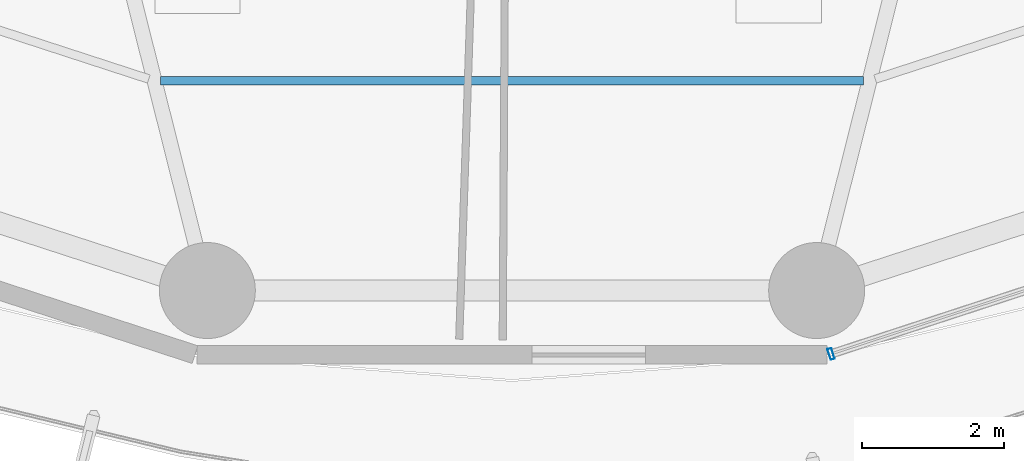
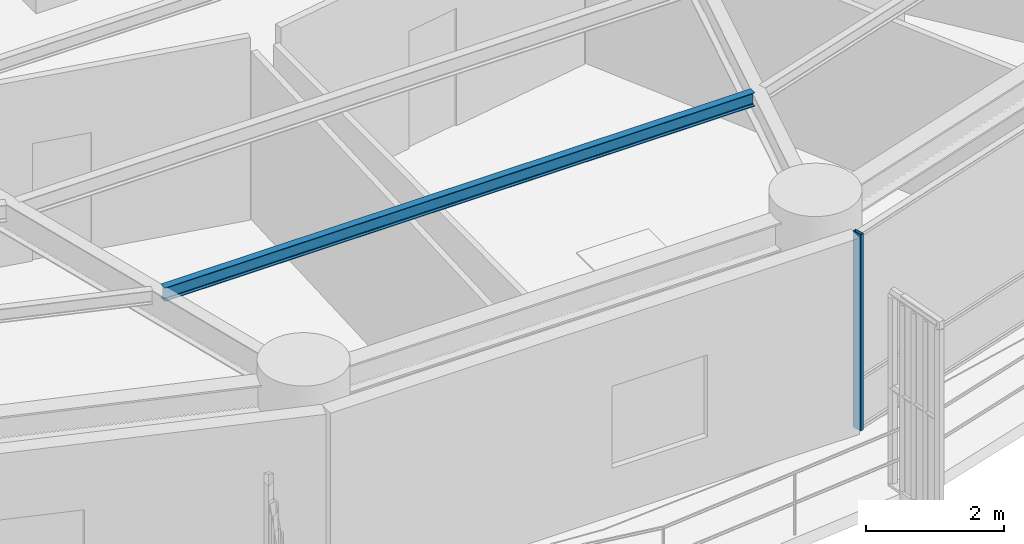
# One storey, part 4 of 36: 1 beam, 1 member, 1 element without a shape of its own.
"""IFC4 building model written with IfcOpenShell, lengths in metres."""

from ifc_helpers import new_model, si_unit, direction, frame, origin, origin_2d, place, context, subcontext, project, spatial, hollow_rectangle, i_section, extrude, material, layer, layer_set, material_profile, profile_set, type_object, element, aggregate, save


model = new_model("IFC4")

# Units and contexts
model_context = context("Model", 3, precision=1e-05, world=origin(), true_north=direction((0.0, 1.0)))
body_context = subcontext(model_context, "Body", "Model", "MODEL_VIEW")
ifc_project = project(units=[si_unit("LENGTHUNIT", "METRE"), si_unit("AREAUNIT", "SQUARE_METRE"), si_unit("VOLUMEUNIT", "CUBIC_METRE"), si_unit("PLANEANGLEUNIT", "RADIAN"), si_unit("MASSUNIT", "GRAM", prefix="KILO")], contexts=[model_context])

# Site, building, storey
site_placement = place(None, origin())
site = spatial("IfcSite", under=ifc_project, at=site_placement, CompositionType="ELEMENT")
building_placement = place(site_placement, origin())
building = spatial("IfcBuilding", under=site, at=building_placement, Name="Kelanora Arch Commons", CompositionType="ELEMENT")
storey_placement = place(building_placement, frame((0.0, 0.0, 102.60009765625)))
storey = spatial("IfcBuildingStorey", under=building, at=storey_placement, Name="L26", CompositionType="ELEMENT", Elevation=102.60009765625)

# Beam
ifc_material_1 = material(Name="Steel S355", Category="steel")
ifc_material_profile_1 = material_profile(ifc_material_1, i_section(OverallWidth=0.1201171875, OverallDepth=0.239990234375, WebThickness=0.006103515625, FlangeThickness=0.009765625, FilletRadius=0.014892578125, at=origin_2d()), Name="IPE240")
ifc_profile_set_1 = profile_set([ifc_material_profile_1], Name="Steel S355")
beam_type = type_object("IfcBeamType", Name="BM-JST-02", PredefinedType="JOIST", material=ifc_profile_set_1)
beam_placement = place(storey_placement, frame((69.056396484375, 39.204345703125, 3.369873046875), z_axis=(1.0, 0.0, 0.0), x_axis=(0.0, 1.0, 0.0)))
element("IfcBeam", 1, at=beam_placement, inside=storey, type_object=beam_type, Name="Secondary Chord Joist BJC-26 L26", PredefinedType="JOIST", context=body_context, shape_type="SweptSolid", body=[
    extrude(i_section(OverallWidth=0.1201171875, OverallDepth=0.239990234375, WebThickness=0.006103515625, FlangeThickness=0.009765625, FilletRadius=0.014892578125, at=origin_2d()), origin(), (0.0, 0.0, 1.0), 9.88720703125),
])

# Curtain wall, member
ifc_material_2 = material(Name="Terracotta ceramic-fritted low-E glass and aluminium", Category="masonry")
ifc_layer = layer(ifc_material_2, 0.159912109375)
ifc_layer_set = layer_set([ifc_layer], Name="Terracotta ceramic-fritted low-E glass and aluminium")
curtain_wall_type = type_object("IfcCurtainWallType", Name="CW-SYS-01", PredefinedType="NOTDEFINED", material=ifc_layer_set)
curtain_wall_placement = place(storey_placement, origin())
curtain_wall = element("IfcCurtainWall", 2, at=curtain_wall_placement, inside=storey, type_object=curtain_wall_type, Name="Unitised Curtain Wall L26-B14", PredefinedType="NOTDEFINED")
ifc_material_3 = material(Name="Powder-coated aluminium terracotta", Category="masonry")
ifc_material_profile_2 = material_profile(ifc_material_3, hollow_rectangle(XDim=0.159912109375, YDim=0.06005859375, WallThickness=0.0048828125, InnerFilletRadius=0.0048828125, OuterFilletRadius=0.010009765625, at=origin_2d()), Name="CWM160x60")
ifc_profile_set_2 = profile_set([ifc_material_profile_2], Name="Powder-coated aluminium terracotta")
member_type = type_object("IfcMemberType", Name="CWM-STD", PredefinedType="MULLION", material=ifc_profile_set_2)
member_placement = place(storey_placement, frame((78.48828125, 35.363525390625, 0.0), z_axis=(0.0, 0.0, 1.0), x_axis=(-0.31080470294, 0.950473795867, 0.0)))
member = element("IfcMember", 3, at=member_placement, type_object=member_type, Name="CW-01 mullion 1", PredefinedType="MULLION", context=body_context, shape_type="SweptSolid", body=[
    extrude(hollow_rectangle(XDim=0.159912109375, YDim=0.06005859375, WallThickness=0.0048828125, InnerFilletRadius=0.0048828125, OuterFilletRadius=0.010009765625, at=origin_2d()), origin(), (0.0, 0.0, 1.0), 3.474853515625),
])
aggregate(curtain_wall, [member])

save(model, "model.ifc")
